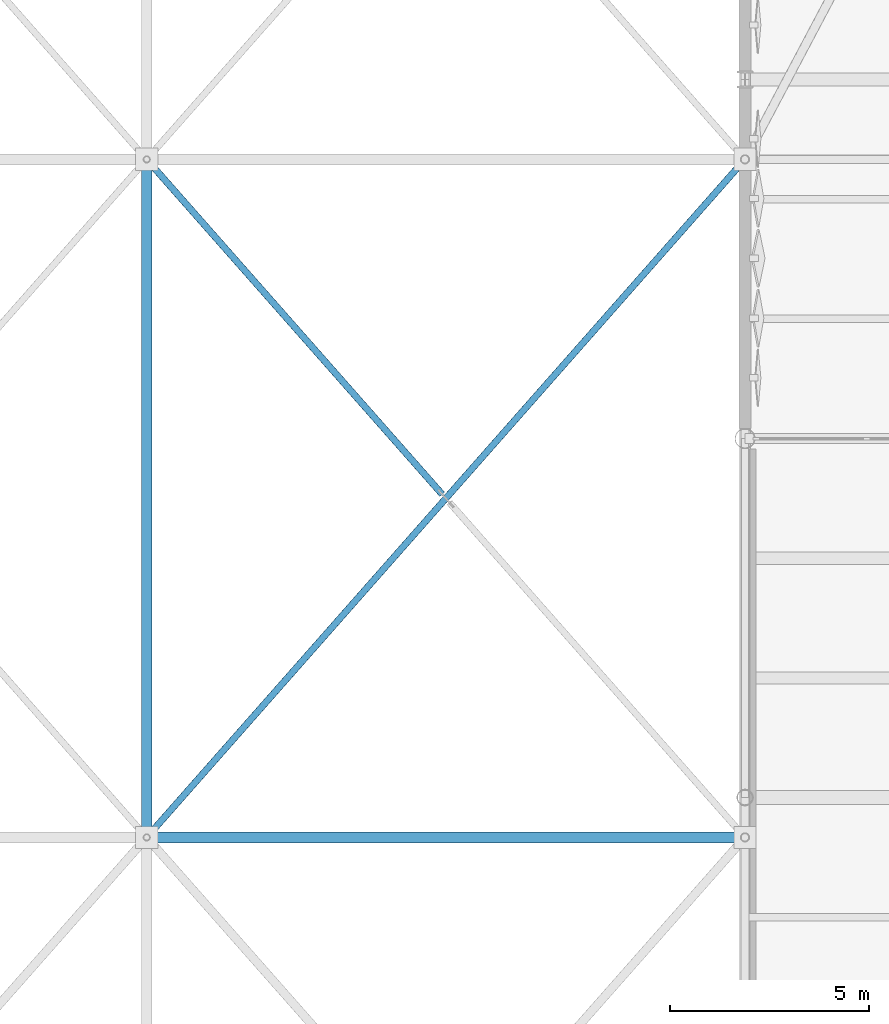
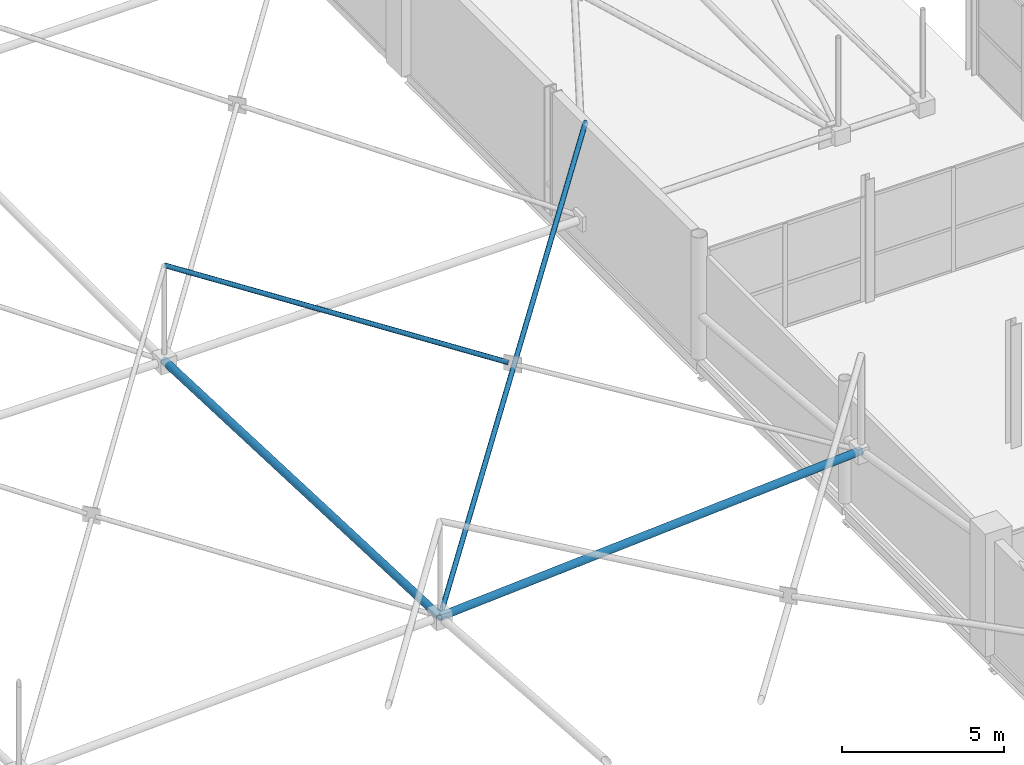
# One storey, part 62 of 224: 4 members.
"""IFC4 building model written with IfcOpenShell, lengths in metres."""

from ifc_helpers import new_model, si_unit, direction, frame, origin, origin_2d, place, context, subcontext, project, spatial, hollow_circle, extrude, material, material_profile, profile_set, type_object, element, save


model = new_model("IFC4")

# Units and contexts
model_context = context("Model", 3, precision=1e-05, world=origin(), true_north=direction((0.0, 1.0)))
body_context = subcontext(model_context, "Body", "Model", "MODEL_VIEW")
ifc_project = project(units=[si_unit("LENGTHUNIT", "METRE"), si_unit("AREAUNIT", "SQUARE_METRE"), si_unit("VOLUMEUNIT", "CUBIC_METRE"), si_unit("PLANEANGLEUNIT", "RADIAN"), si_unit("MASSUNIT", "GRAM", prefix="KILO")], contexts=[model_context])

# Site, building, storey
site_placement = place(None, origin())
site = spatial("IfcSite", under=ifc_project, at=site_placement, CompositionType="ELEMENT")
building_placement = place(site_placement, origin())
building = spatial("IfcBuilding", under=site, at=building_placement, Name="Qamarlyn Nura Convention Centre", CompositionType="ELEMENT")
storey_placement = place(building_placement, frame((0.0, 0.0, 10.800048828125)))
storey = spatial("IfcBuildingStorey", under=building, at=storey_placement, Name="L02", CompositionType="ELEMENT", Elevation=10.800048828125)

# Members
ifc_material = material(Name="Pearl-white PVDF steel ASTM A500 Grade C", Category="steel")
ifc_material_profile_1 = material_profile(ifc_material, hollow_circle(Radius=0.136474609375, WallThickness=0.012451171875, at=origin_2d()), Name="CHS273X12.5")
ifc_profile_set_1 = profile_set([ifc_material_profile_1], Name="Pearl-white PVDF steel ASTM A500 Grade C")
member_type_1 = type_object("IfcMemberType", Name="SF-BC-MAIN", PredefinedType="CHORD", material=ifc_profile_set_1)
member_1_placement = place(storey_placement, frame((105.0, 35.0, 1.48046875), z_axis=(0.997771123533, 0.0, 0.066729191839), x_axis=(0.0, 1.0, 0.0)))
element("IfcMember", 1, at=member_1_placement, inside=storey, type_object=member_type_1, Name="ROOF TRUSS space frame bottom chord X9-3", PredefinedType="CHORD", context=body_context, shape_type="SweptSolid", body=[
    extrude(hollow_circle(Radius=0.136474609375, WallThickness=0.012451171875, at=origin_2d()), origin(), (0.0, 0.0, 1.0), 15.033447265625),
])
member_2_placement = place(storey_placement, frame((105.0, 35.0, 1.48046875), z_axis=(0.0, 0.999202837298, -0.039921046263), x_axis=(-1.0, 0.0, 0.0)))
element("IfcMember", 2, at=member_2_placement, inside=storey, type_object=member_type_1, Name="ROOF TRUSS space frame bottom chord Y9-3", PredefinedType="CHORD", context=body_context, shape_type="SweptSolid", body=[
    extrude(hollow_circle(Radius=0.136474609375, WallThickness=0.012451171875, at=origin_2d()), origin(), (0.0, 0.0, 1.0), 17.013671875),
])
ifc_material_profile_2 = material_profile(ifc_material, hollow_circle(Radius=0.084228515625, WallThickness=0.008056640625, at=origin_2d()), Name="CHS168.3X8")
ifc_profile_set_2 = profile_set([ifc_material_profile_2], Name="Pearl-white PVDF steel ASTM A500 Grade C")
member_type_2 = type_object("IfcMemberType", Name="SF-WEB-STD", PredefinedType="BRACE", material=ifc_profile_set_2)
member_3_placement = place(storey_placement, frame((105.0, 35.0, 1.48046875), z_axis=(0.655688260987, 0.743113362452, 0.133624230401), x_axis=(-0.749837855365, 0.661621637087, 0.0)))
element("IfcMember", 3, at=member_3_placement, inside=storey, type_object=member_type_2, Name="ROOF TRUSS space frame diagonal A 9-3", PredefinedType="BRACE", context=body_context, shape_type="SweptSolid", body=[
    extrude(hollow_circle(Radius=0.084228515625, WallThickness=0.008056640625, at=origin_2d()), origin(), (0.0, 0.0, 1.0), 22.876708984375),
])
member_4_placement = place(storey_placement, frame((112.40771484375, 43.6044921875, 3.237548828125), z_axis=(-0.658071704161, 0.74582327344, 0.103388959651), x_axis=(-0.749841673406, -0.661617309948, 0.0)))
element("IfcMember", 4, at=member_4_placement, inside=storey, type_object=member_type_2, Name="ROOF TRUSS space frame split diagonal B2 9-3", PredefinedType="BRACE", context=body_context, shape_type="SweptSolid", body=[
    extrude(hollow_circle(Radius=0.084228515625, WallThickness=0.008056640625, at=origin_2d()), origin(), (0.0, 0.0, 1.0), 11.256591796875),
])

save(model, "model.ifc")
